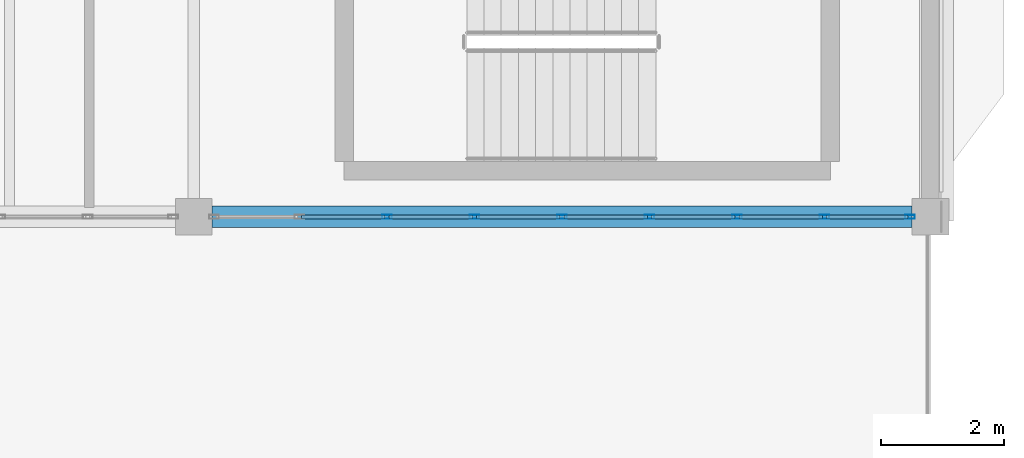
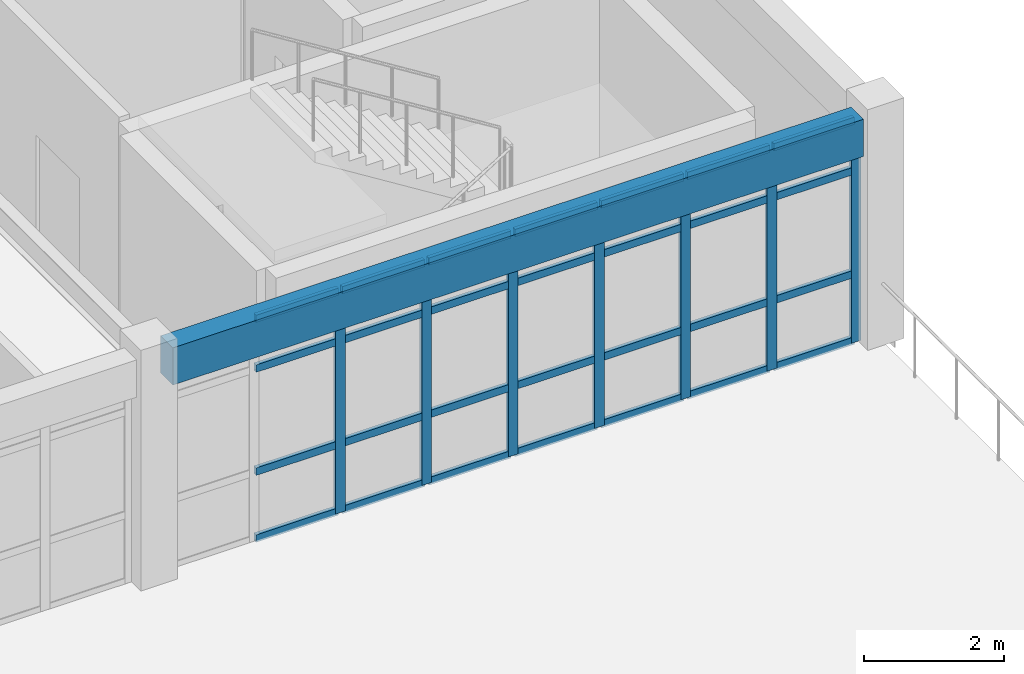
# One storey, part 3 of 37: 35 members, 1 beam, 1 element without a shape of its own.
"""IFC4 building model written with IfcOpenShell, lengths in metres."""

from ifc_helpers import new_model, si_unit, direction, frame, origin, origin_2d, place, context, subcontext, project, spatial, rectangle, hollow_rectangle, extrude, material, layer, layer_set, material_profile, profile_set, type_object, element, aggregate, save


model = new_model("IFC4")

# Units and contexts
model_context = context("Model", 3, precision=1e-05, world=origin(), true_north=direction((0.0, 1.0)))
body_context = subcontext(model_context, "Body", "Model", "MODEL_VIEW")
ifc_project = project(units=[si_unit("LENGTHUNIT", "METRE"), si_unit("AREAUNIT", "SQUARE_METRE"), si_unit("VOLUMEUNIT", "CUBIC_METRE"), si_unit("PLANEANGLEUNIT", "RADIAN"), si_unit("MASSUNIT", "GRAM", prefix="KILO")], contexts=[model_context])

# Site, building, storey
site_placement = place(None, origin())
site = spatial("IfcSite", under=ifc_project, at=site_placement, CompositionType="ELEMENT")
building_placement = place(site_placement, origin())
building = spatial("IfcBuilding", under=site, at=building_placement, Name="Pandanus Reach Market Hall", CompositionType="ELEMENT")
storey_placement = place(building_placement, frame((0.0, 0.0, 14.39990234375)))
storey = spatial("IfcBuildingStorey", under=building, at=storey_placement, Name="L03", CompositionType="ELEMENT", Elevation=14.39990234375)

# Beam
ifc_material_1 = material(Name="Concrete N40 (40 MPa)", Category="concrete")
ifc_material_profile_1 = material_profile(ifc_material_1, rectangle(XDim=0.35009765625, YDim=0.64990234375, at=origin_2d()), Name="RC350x650", Category="LoadBearing")
ifc_profile_set_1 = profile_set([ifc_material_profile_1], Name="Concrete N40 (40 MPa)")
beam_type = type_object("IfcBeamType", Name="BM-RC350-E", PredefinedType="SPANDREL", material=ifc_profile_set_1)
beam_placement = place(storey_placement, frame((168.298095703125, 28.800048828125, 3.635009765625), z_axis=(1.0, 0.0, 0.0), x_axis=(0.0, 1.0, 0.0)))
element("IfcBeam", 1, at=beam_placement, inside=storey, type_object=beam_type, Name="Framing beam BM-RC350-E L03.538", PredefinedType="SPANDREL", context=body_context, shape_type="SweptSolid", body=[
    extrude(rectangle(XDim=0.35009765625, YDim=0.64990234375, at=origin_2d()), origin(), (0.0, 0.0, 1.0), 11.40380859375),
])

# Curtain wall, members
ifc_material_2 = material(Name="Bronze anodised aluminium and low-E glass", Category="aluminium")
ifc_layer = layer(ifc_material_2, 0.159912109375, Name="CW-30")
ifc_layer_set = layer_set([ifc_layer], Name="Bronze anodised aluminium and low-E glass")
curtain_wall_type = type_object("IfcCurtainWallType", Name="CW-30", PredefinedType="NOTDEFINED", material=ifc_layer_set)
curtain_wall_placement = place(storey_placement, origin())
curtain_wall = element("IfcCurtainWall", 2, at=curtain_wall_placement, inside=storey, type_object=curtain_wall_type, Name="Glazed curtain wall CW-30 CW-0117", PredefinedType="NOTDEFINED")
ifc_material_3 = material(Name="Bronze anodised aluminium", Category="aluminium")
ifc_material_profile_2 = material_profile(ifc_material_3, hollow_rectangle(XDim=0.06494140625, YDim=0.159912109375, WallThickness=0.00390625, at=origin_2d()), Name="ALU65x160", Category="LoadBearing")
ifc_profile_set_2 = profile_set([ifc_material_profile_2], Name="Bronze anodised aluminium")
member_type_1 = type_object("IfcMemberType", Name="CW-M1", PredefinedType="MULLION", material=ifc_profile_set_2)
member_1_placement = place(storey_placement, frame((171.14990234375, 28.800048828125, 0.0), z_axis=(0.0, 0.0, 1.0), x_axis=(0.0, 1.0, 0.0)))
member_1 = element("IfcMember", 3, at=member_1_placement, type_object=member_type_1, Name="CW-30 mullion 3", PredefinedType="MULLION", context=body_context, shape_type="SweptSolid", body=[
    extrude(hollow_rectangle(XDim=0.06494140625, YDim=0.159912109375, WallThickness=0.00390625, at=origin_2d()), origin(), (0.0, 0.0, 1.0), 3.900146484375),
])
member_2_placement = place(storey_placement, frame((172.574951171875, 28.800048828125, 0.0), z_axis=(0.0, 0.0, 1.0), x_axis=(0.0, 1.0, 0.0)))
member_2 = element("IfcMember", 4, at=member_2_placement, type_object=member_type_1, Name="CW-30 mullion 4", PredefinedType="MULLION", context=body_context, shape_type="SweptSolid", body=[
    extrude(hollow_rectangle(XDim=0.06494140625, YDim=0.159912109375, WallThickness=0.00390625, at=origin_2d()), origin(), (0.0, 0.0, 1.0), 3.900146484375),
])
member_3_placement = place(storey_placement, frame((174.0, 28.800048828125, 0.0), z_axis=(0.0, 0.0, 1.0), x_axis=(0.0, 1.0, 0.0)))
member_3 = element("IfcMember", 5, at=member_3_placement, type_object=member_type_1, Name="CW-30 mullion 5", PredefinedType="MULLION", context=body_context, shape_type="SweptSolid", body=[
    extrude(hollow_rectangle(XDim=0.06494140625, YDim=0.159912109375, WallThickness=0.00390625, at=origin_2d()), origin(), (0.0, 0.0, 1.0), 3.900146484375),
])
member_4_placement = place(storey_placement, frame((175.425048828125, 28.800048828125, 0.0), z_axis=(0.0, 0.0, 1.0), x_axis=(0.0, 1.0, 0.0)))
member_4 = element("IfcMember", 6, at=member_4_placement, type_object=member_type_1, Name="CW-30 mullion 6", PredefinedType="MULLION", context=body_context, shape_type="SweptSolid", body=[
    extrude(hollow_rectangle(XDim=0.06494140625, YDim=0.159912109375, WallThickness=0.00390625, at=origin_2d()), origin(), (0.0, 0.0, 1.0), 3.900146484375),
])
member_5_placement = place(storey_placement, frame((176.85009765625, 28.800048828125, 0.0), z_axis=(0.0, 0.0, 1.0), x_axis=(0.0, 1.0, 0.0)))
member_5 = element("IfcMember", 7, at=member_5_placement, type_object=member_type_1, Name="CW-30 mullion 7", PredefinedType="MULLION", context=body_context, shape_type="SweptSolid", body=[
    extrude(hollow_rectangle(XDim=0.06494140625, YDim=0.159912109375, WallThickness=0.00390625, at=origin_2d()), origin(), (0.0, 0.0, 1.0), 3.900146484375),
])
member_6_placement = place(storey_placement, frame((178.27490234375, 28.800048828125, 0.0), z_axis=(0.0, 0.0, 1.0), x_axis=(0.0, 1.0, 0.0)))
member_6 = element("IfcMember", 8, at=member_6_placement, type_object=member_type_1, Name="CW-30 mullion 8", PredefinedType="MULLION", context=body_context, shape_type="SweptSolid", body=[
    extrude(hollow_rectangle(XDim=0.06494140625, YDim=0.159912109375, WallThickness=0.00390625, at=origin_2d()), origin(), (0.0, 0.0, 1.0), 3.900146484375),
])
member_7_placement = place(storey_placement, frame((179.66748046875, 28.800048828125, 0.0), z_axis=(0.0, 0.0, 1.0), x_axis=(0.0, 1.0, 0.0)))
member_7 = element("IfcMember", 9, at=member_7_placement, type_object=member_type_1, Name="CW-30 mullion 9", PredefinedType="MULLION", context=body_context, shape_type="SweptSolid", body=[
    extrude(hollow_rectangle(XDim=0.06494140625, YDim=0.159912109375, WallThickness=0.00390625, at=origin_2d()), origin(), (0.0, 0.0, 1.0), 3.900146484375),
])
ifc_material_profile_3 = material_profile(ifc_material_3, hollow_rectangle(XDim=0.06494140625, YDim=0.1298828125, WallThickness=0.00390625, at=origin_2d()), Name="ALU65x130", Category="LoadBearing")
ifc_profile_set_3 = profile_set([ifc_material_profile_3], Name="Bronze anodised aluminium")
member_type_2 = type_object("IfcMemberType", Name="CW-T1", PredefinedType="USERDEFINED", material=ifc_profile_set_3)
member_8_placement = place(storey_placement, frame((169.757568359375, 28.800048828125, 0.03271484375), z_axis=(1.0, 0.0, 0.0), x_axis=(0.0, 1.0, 0.0)))
member_8 = element("IfcMember", 10, at=member_8_placement, type_object=member_type_2, Name="CW-30 transom 2.1", ObjectType="TRANSOM", PredefinedType="USERDEFINED", context=body_context, shape_type="SweptSolid", body=[
    extrude(hollow_rectangle(XDim=0.06494140625, YDim=0.1298828125, WallThickness=0.00390625, at=origin_2d()), origin(), (0.0, 0.0, 1.0), 1.35986328125),
])
member_9_placement = place(storey_placement, frame((169.757568359375, 28.800048828125, 1.2001953125), z_axis=(1.0, 0.0, 0.0), x_axis=(0.0, 1.0, 0.0)))
member_9 = element("IfcMember", 11, at=member_9_placement, type_object=member_type_2, Name="CW-30 transom 2.2", ObjectType="TRANSOM", PredefinedType="USERDEFINED", context=body_context, shape_type="SweptSolid", body=[
    extrude(hollow_rectangle(XDim=0.06494140625, YDim=0.1298828125, WallThickness=0.00390625, at=origin_2d()), origin(), (0.0, 0.0, 1.0), 1.35986328125),
])
member_10_placement = place(storey_placement, frame((169.757568359375, 28.800048828125, 3.0), z_axis=(1.0, 0.0, 0.0), x_axis=(0.0, 1.0, 0.0)))
member_10 = element("IfcMember", 12, at=member_10_placement, type_object=member_type_2, Name="CW-30 transom 2.3", ObjectType="TRANSOM", PredefinedType="USERDEFINED", context=body_context, shape_type="SweptSolid", body=[
    extrude(hollow_rectangle(XDim=0.06494140625, YDim=0.1298828125, WallThickness=0.00390625, at=origin_2d()), origin(), (0.0, 0.0, 1.0), 1.35986328125),
])
member_11_placement = place(storey_placement, frame((169.757568359375, 28.800048828125, 3.86767578125), z_axis=(1.0, 0.0, 0.0), x_axis=(0.0, 1.0, 0.0)))
member_11 = element("IfcMember", 13, at=member_11_placement, type_object=member_type_2, Name="CW-30 transom 2.4", ObjectType="TRANSOM", PredefinedType="USERDEFINED", context=body_context, shape_type="SweptSolid", body=[
    extrude(hollow_rectangle(XDim=0.06494140625, YDim=0.1298828125, WallThickness=0.00390625, at=origin_2d()), origin(), (0.0, 0.0, 1.0), 1.35986328125),
])
member_12_placement = place(storey_placement, frame((171.1826171875, 28.800048828125, 0.03271484375), z_axis=(1.0, 0.0, 0.0), x_axis=(0.0, 1.0, 0.0)))
member_12 = element("IfcMember", 14, at=member_12_placement, type_object=member_type_2, Name="CW-30 transom 3.1", ObjectType="TRANSOM", PredefinedType="USERDEFINED", context=body_context, shape_type="SweptSolid", body=[
    extrude(hollow_rectangle(XDim=0.06494140625, YDim=0.1298828125, WallThickness=0.00390625, at=origin_2d()), origin(), (0.0, 0.0, 1.0), 1.35986328125),
])
member_13_placement = place(storey_placement, frame((171.1826171875, 28.800048828125, 1.2001953125), z_axis=(1.0, 0.0, 0.0), x_axis=(0.0, 1.0, 0.0)))
member_13 = element("IfcMember", 15, at=member_13_placement, type_object=member_type_2, Name="CW-30 transom 3.2", ObjectType="TRANSOM", PredefinedType="USERDEFINED", context=body_context, shape_type="SweptSolid", body=[
    extrude(hollow_rectangle(XDim=0.06494140625, YDim=0.1298828125, WallThickness=0.00390625, at=origin_2d()), origin(), (0.0, 0.0, 1.0), 1.35986328125),
])
member_14_placement = place(storey_placement, frame((171.1826171875, 28.800048828125, 3.0), z_axis=(1.0, 0.0, 0.0), x_axis=(0.0, 1.0, 0.0)))
member_14 = element("IfcMember", 16, at=member_14_placement, type_object=member_type_2, Name="CW-30 transom 3.3", ObjectType="TRANSOM", PredefinedType="USERDEFINED", context=body_context, shape_type="SweptSolid", body=[
    extrude(hollow_rectangle(XDim=0.06494140625, YDim=0.1298828125, WallThickness=0.00390625, at=origin_2d()), origin(), (0.0, 0.0, 1.0), 1.35986328125),
])
member_15_placement = place(storey_placement, frame((171.1826171875, 28.800048828125, 3.86767578125), z_axis=(1.0, 0.0, 0.0), x_axis=(0.0, 1.0, 0.0)))
member_15 = element("IfcMember", 17, at=member_15_placement, type_object=member_type_2, Name="CW-30 transom 3.4", ObjectType="TRANSOM", PredefinedType="USERDEFINED", context=body_context, shape_type="SweptSolid", body=[
    extrude(hollow_rectangle(XDim=0.06494140625, YDim=0.1298828125, WallThickness=0.00390625, at=origin_2d()), origin(), (0.0, 0.0, 1.0), 1.35986328125),
])
member_16_placement = place(storey_placement, frame((172.607421875, 28.800048828125, 0.03271484375), z_axis=(1.0, 0.0, 0.0), x_axis=(0.0, 1.0, 0.0)))
member_16 = element("IfcMember", 18, at=member_16_placement, type_object=member_type_2, Name="CW-30 transom 4.1", ObjectType="TRANSOM", PredefinedType="USERDEFINED", context=body_context, shape_type="SweptSolid", body=[
    extrude(hollow_rectangle(XDim=0.06494140625, YDim=0.1298828125, WallThickness=0.00390625, at=origin_2d()), origin(), (0.0, 0.0, 1.0), 1.360107421875),
])
member_17_placement = place(storey_placement, frame((172.607421875, 28.800048828125, 1.2001953125), z_axis=(1.0, 0.0, 0.0), x_axis=(0.0, 1.0, 0.0)))
member_17 = element("IfcMember", 19, at=member_17_placement, type_object=member_type_2, Name="CW-30 transom 4.2", ObjectType="TRANSOM", PredefinedType="USERDEFINED", context=body_context, shape_type="SweptSolid", body=[
    extrude(hollow_rectangle(XDim=0.06494140625, YDim=0.1298828125, WallThickness=0.00390625, at=origin_2d()), origin(), (0.0, 0.0, 1.0), 1.360107421875),
])
member_18_placement = place(storey_placement, frame((172.607421875, 28.800048828125, 3.0), z_axis=(1.0, 0.0, 0.0), x_axis=(0.0, 1.0, 0.0)))
member_18 = element("IfcMember", 20, at=member_18_placement, type_object=member_type_2, Name="CW-30 transom 4.3", ObjectType="TRANSOM", PredefinedType="USERDEFINED", context=body_context, shape_type="SweptSolid", body=[
    extrude(hollow_rectangle(XDim=0.06494140625, YDim=0.1298828125, WallThickness=0.00390625, at=origin_2d()), origin(), (0.0, 0.0, 1.0), 1.360107421875),
])
member_19_placement = place(storey_placement, frame((172.607421875, 28.800048828125, 3.86767578125), z_axis=(1.0, 0.0, 0.0), x_axis=(0.0, 1.0, 0.0)))
member_19 = element("IfcMember", 21, at=member_19_placement, type_object=member_type_2, Name="CW-30 transom 4.4", ObjectType="TRANSOM", PredefinedType="USERDEFINED", context=body_context, shape_type="SweptSolid", body=[
    extrude(hollow_rectangle(XDim=0.06494140625, YDim=0.1298828125, WallThickness=0.00390625, at=origin_2d()), origin(), (0.0, 0.0, 1.0), 1.360107421875),
])
member_20_placement = place(storey_placement, frame((174.032470703125, 28.800048828125, 0.03271484375), z_axis=(1.0, 0.0, 0.0), x_axis=(0.0, 1.0, 0.0)))
member_20 = element("IfcMember", 22, at=member_20_placement, type_object=member_type_2, Name="CW-30 transom 5.1", ObjectType="TRANSOM", PredefinedType="USERDEFINED", context=body_context, shape_type="SweptSolid", body=[
    extrude(hollow_rectangle(XDim=0.06494140625, YDim=0.1298828125, WallThickness=0.00390625, at=origin_2d()), origin(), (0.0, 0.0, 1.0), 1.360107421875),
])
member_21_placement = place(storey_placement, frame((174.032470703125, 28.800048828125, 1.2001953125), z_axis=(1.0, 0.0, 0.0), x_axis=(0.0, 1.0, 0.0)))
member_21 = element("IfcMember", 23, at=member_21_placement, type_object=member_type_2, Name="CW-30 transom 5.2", ObjectType="TRANSOM", PredefinedType="USERDEFINED", context=body_context, shape_type="SweptSolid", body=[
    extrude(hollow_rectangle(XDim=0.06494140625, YDim=0.1298828125, WallThickness=0.00390625, at=origin_2d()), origin(), (0.0, 0.0, 1.0), 1.360107421875),
])
member_22_placement = place(storey_placement, frame((174.032470703125, 28.800048828125, 3.0), z_axis=(1.0, 0.0, 0.0), x_axis=(0.0, 1.0, 0.0)))
member_22 = element("IfcMember", 24, at=member_22_placement, type_object=member_type_2, Name="CW-30 transom 5.3", ObjectType="TRANSOM", PredefinedType="USERDEFINED", context=body_context, shape_type="SweptSolid", body=[
    extrude(hollow_rectangle(XDim=0.06494140625, YDim=0.1298828125, WallThickness=0.00390625, at=origin_2d()), origin(), (0.0, 0.0, 1.0), 1.360107421875),
])
member_23_placement = place(storey_placement, frame((174.032470703125, 28.800048828125, 3.86767578125), z_axis=(1.0, 0.0, 0.0), x_axis=(0.0, 1.0, 0.0)))
member_23 = element("IfcMember", 25, at=member_23_placement, type_object=member_type_2, Name="CW-30 transom 5.4", ObjectType="TRANSOM", PredefinedType="USERDEFINED", context=body_context, shape_type="SweptSolid", body=[
    extrude(hollow_rectangle(XDim=0.06494140625, YDim=0.1298828125, WallThickness=0.00390625, at=origin_2d()), origin(), (0.0, 0.0, 1.0), 1.360107421875),
])
member_24_placement = place(storey_placement, frame((175.45751953125, 28.800048828125, 0.03271484375), z_axis=(1.0, 0.0, 0.0), x_axis=(0.0, 1.0, 0.0)))
member_24 = element("IfcMember", 26, at=member_24_placement, type_object=member_type_2, Name="CW-30 transom 6.1", ObjectType="TRANSOM", PredefinedType="USERDEFINED", context=body_context, shape_type="SweptSolid", body=[
    extrude(hollow_rectangle(XDim=0.06494140625, YDim=0.1298828125, WallThickness=0.00390625, at=origin_2d()), origin(), (0.0, 0.0, 1.0), 1.35986328125),
])
member_25_placement = place(storey_placement, frame((175.45751953125, 28.800048828125, 1.2001953125), z_axis=(1.0, 0.0, 0.0), x_axis=(0.0, 1.0, 0.0)))
member_25 = element("IfcMember", 27, at=member_25_placement, type_object=member_type_2, Name="CW-30 transom 6.2", ObjectType="TRANSOM", PredefinedType="USERDEFINED", context=body_context, shape_type="SweptSolid", body=[
    extrude(hollow_rectangle(XDim=0.06494140625, YDim=0.1298828125, WallThickness=0.00390625, at=origin_2d()), origin(), (0.0, 0.0, 1.0), 1.35986328125),
])
member_26_placement = place(storey_placement, frame((175.45751953125, 28.800048828125, 3.0), z_axis=(1.0, 0.0, 0.0), x_axis=(0.0, 1.0, 0.0)))
member_26 = element("IfcMember", 28, at=member_26_placement, type_object=member_type_2, Name="CW-30 transom 6.3", ObjectType="TRANSOM", PredefinedType="USERDEFINED", context=body_context, shape_type="SweptSolid", body=[
    extrude(hollow_rectangle(XDim=0.06494140625, YDim=0.1298828125, WallThickness=0.00390625, at=origin_2d()), origin(), (0.0, 0.0, 1.0), 1.35986328125),
])
member_27_placement = place(storey_placement, frame((175.45751953125, 28.800048828125, 3.86767578125), z_axis=(1.0, 0.0, 0.0), x_axis=(0.0, 1.0, 0.0)))
member_27 = element("IfcMember", 29, at=member_27_placement, type_object=member_type_2, Name="CW-30 transom 6.4", ObjectType="TRANSOM", PredefinedType="USERDEFINED", context=body_context, shape_type="SweptSolid", body=[
    extrude(hollow_rectangle(XDim=0.06494140625, YDim=0.1298828125, WallThickness=0.00390625, at=origin_2d()), origin(), (0.0, 0.0, 1.0), 1.35986328125),
])
member_28_placement = place(storey_placement, frame((176.882568359375, 28.800048828125, 0.03271484375), z_axis=(1.0, 0.0, 0.0), x_axis=(0.0, 1.0, 0.0)))
member_28 = element("IfcMember", 30, at=member_28_placement, type_object=member_type_2, Name="CW-30 transom 7.1", ObjectType="TRANSOM", PredefinedType="USERDEFINED", context=body_context, shape_type="SweptSolid", body=[
    extrude(hollow_rectangle(XDim=0.06494140625, YDim=0.1298828125, WallThickness=0.00390625, at=origin_2d()), origin(), (0.0, 0.0, 1.0), 1.35986328125),
])
member_29_placement = place(storey_placement, frame((176.882568359375, 28.800048828125, 1.2001953125), z_axis=(1.0, 0.0, 0.0), x_axis=(0.0, 1.0, 0.0)))
member_29 = element("IfcMember", 31, at=member_29_placement, type_object=member_type_2, Name="CW-30 transom 7.2", ObjectType="TRANSOM", PredefinedType="USERDEFINED", context=body_context, shape_type="SweptSolid", body=[
    extrude(hollow_rectangle(XDim=0.06494140625, YDim=0.1298828125, WallThickness=0.00390625, at=origin_2d()), origin(), (0.0, 0.0, 1.0), 1.35986328125),
])
member_30_placement = place(storey_placement, frame((176.882568359375, 28.800048828125, 3.0), z_axis=(1.0, 0.0, 0.0), x_axis=(0.0, 1.0, 0.0)))
member_30 = element("IfcMember", 32, at=member_30_placement, type_object=member_type_2, Name="CW-30 transom 7.3", ObjectType="TRANSOM", PredefinedType="USERDEFINED", context=body_context, shape_type="SweptSolid", body=[
    extrude(hollow_rectangle(XDim=0.06494140625, YDim=0.1298828125, WallThickness=0.00390625, at=origin_2d()), origin(), (0.0, 0.0, 1.0), 1.35986328125),
])
member_31_placement = place(storey_placement, frame((176.882568359375, 28.800048828125, 3.86767578125), z_axis=(1.0, 0.0, 0.0), x_axis=(0.0, 1.0, 0.0)))
member_31 = element("IfcMember", 33, at=member_31_placement, type_object=member_type_2, Name="CW-30 transom 7.4", ObjectType="TRANSOM", PredefinedType="USERDEFINED", context=body_context, shape_type="SweptSolid", body=[
    extrude(hollow_rectangle(XDim=0.06494140625, YDim=0.1298828125, WallThickness=0.00390625, at=origin_2d()), origin(), (0.0, 0.0, 1.0), 1.35986328125),
])
member_32_placement = place(storey_placement, frame((178.3076171875, 28.800048828125, 0.03271484375), z_axis=(1.0, 0.0, 0.0), x_axis=(0.0, 1.0, 0.0)))
member_32 = element("IfcMember", 34, at=member_32_placement, type_object=member_type_2, Name="CW-30 transom 8.1", ObjectType="TRANSOM", PredefinedType="USERDEFINED", context=body_context, shape_type="SweptSolid", body=[
    extrude(hollow_rectangle(XDim=0.06494140625, YDim=0.1298828125, WallThickness=0.00390625, at=origin_2d()), origin(), (0.0, 0.0, 1.0), 1.327392578125),
])
member_33_placement = place(storey_placement, frame((178.3076171875, 28.800048828125, 1.2001953125), z_axis=(1.0, 0.0, 0.0), x_axis=(0.0, 1.0, 0.0)))
member_33 = element("IfcMember", 35, at=member_33_placement, type_object=member_type_2, Name="CW-30 transom 8.2", ObjectType="TRANSOM", PredefinedType="USERDEFINED", context=body_context, shape_type="SweptSolid", body=[
    extrude(hollow_rectangle(XDim=0.06494140625, YDim=0.1298828125, WallThickness=0.00390625, at=origin_2d()), origin(), (0.0, 0.0, 1.0), 1.327392578125),
])
member_34_placement = place(storey_placement, frame((178.3076171875, 28.800048828125, 3.0), z_axis=(1.0, 0.0, 0.0), x_axis=(0.0, 1.0, 0.0)))
member_34 = element("IfcMember", 36, at=member_34_placement, type_object=member_type_2, Name="CW-30 transom 8.3", ObjectType="TRANSOM", PredefinedType="USERDEFINED", context=body_context, shape_type="SweptSolid", body=[
    extrude(hollow_rectangle(XDim=0.06494140625, YDim=0.1298828125, WallThickness=0.00390625, at=origin_2d()), origin(), (0.0, 0.0, 1.0), 1.327392578125),
])
member_35_placement = place(storey_placement, frame((178.3076171875, 28.800048828125, 3.86767578125), z_axis=(1.0, 0.0, 0.0), x_axis=(0.0, 1.0, 0.0)))
member_35 = element("IfcMember", 37, at=member_35_placement, type_object=member_type_2, Name="CW-30 transom 8.4", ObjectType="TRANSOM", PredefinedType="USERDEFINED", context=body_context, shape_type="SweptSolid", body=[
    extrude(hollow_rectangle(XDim=0.06494140625, YDim=0.1298828125, WallThickness=0.00390625, at=origin_2d()), origin(), (0.0, 0.0, 1.0), 1.327392578125),
])
aggregate(curtain_wall, [member_1, member_2, member_3, member_4, member_5, member_6, member_7, member_8, member_9, member_10, member_11, member_12, member_13, member_14, member_15, member_16, member_17, member_18, member_19, member_20, member_21, member_22, member_23, member_24, member_25, member_26, member_27, member_28, member_29, member_30, member_31, member_32, member_33, member_34, member_35])

save(model, "model.ifc")
